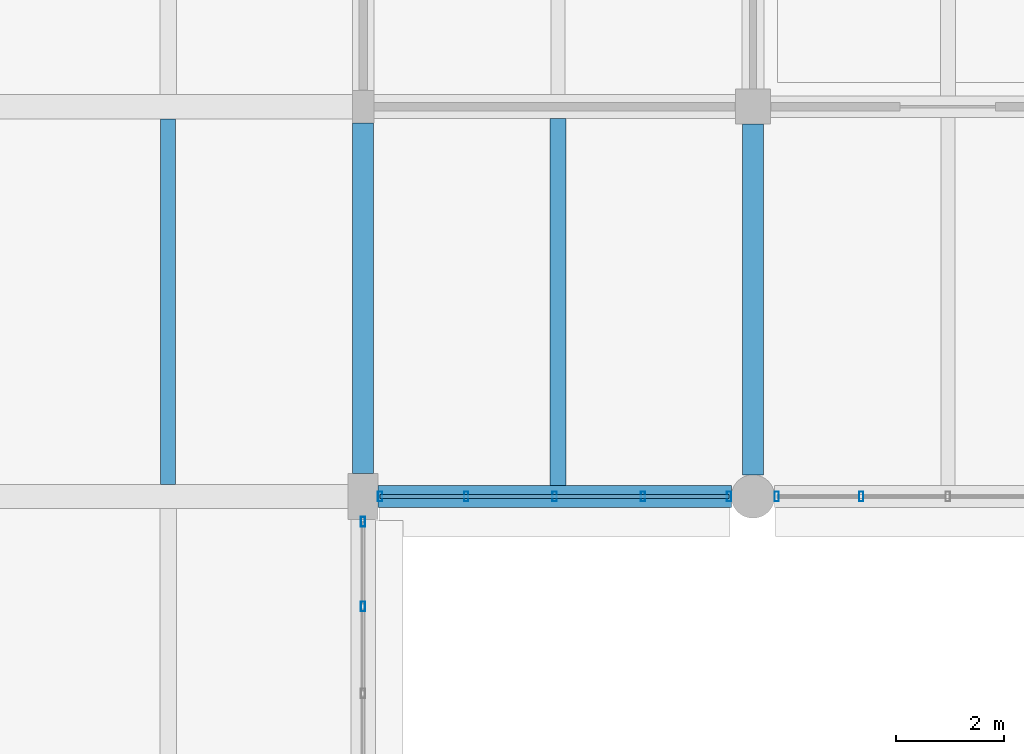
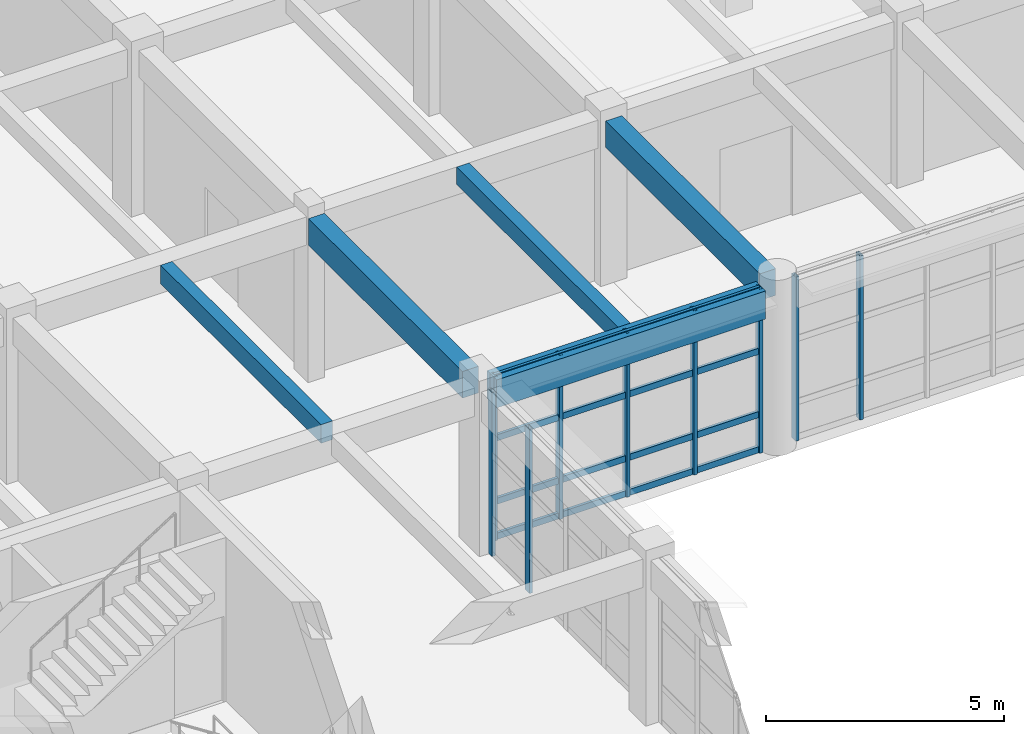
# One storey, part 23 of 171: 13 members, 5 beams, 3 elements without a shape of their own.
"""IFC4 building model written with IfcOpenShell, lengths in metres."""

from ifc_helpers import new_model, si_unit, direction, frame, origin, origin_2d, place, context, subcontext, project, spatial, rectangle, hollow_rectangle, extrude, material, material_profile, profile_set, type_object, element, aggregate, save


model = new_model("IFC4")

# Units and contexts
model_context = context("Model", 3, precision=1e-05, world=origin(), true_north=direction((0.0, 1.0)))
body_context = subcontext(model_context, "Body", "Model", "MODEL_VIEW")
ifc_project = project(units=[si_unit("LENGTHUNIT", "METRE"), si_unit("AREAUNIT", "SQUARE_METRE"), si_unit("VOLUMEUNIT", "CUBIC_METRE"), si_unit("PLANEANGLEUNIT", "RADIAN"), si_unit("MASSUNIT", "GRAM", prefix="KILO")], contexts=[model_context])

# Site, building, storey
site_placement = place(None, origin())
site = spatial("IfcSite", under=ifc_project, at=site_placement, CompositionType="ELEMENT")
building_placement = place(site_placement, origin())
building = spatial("IfcBuilding", under=site, at=building_placement, Name="Thalmaran Polytechnic", CompositionType="ELEMENT")
storey_placement = place(building_placement, frame((0.0, 0.0, 5.39990234375)))
storey = spatial("IfcBuildingStorey", under=building, at=storey_placement, Name="L01", CompositionType="ELEMENT", Elevation=5.39990234375)

# Beams
ifc_material_1 = material(Name="Concrete C40/50", Category="concrete")
ifc_material_profile_1 = material_profile(ifc_material_1, rectangle(XDim=0.389892578125, YDim=0.68505859375, at=origin_2d()), Name="RC 390x685")
ifc_profile_set_1 = profile_set([ifc_material_profile_1], Name="Concrete C40/50")
beam_type_1 = type_object("IfcBeamType", Name="BM-RC08", PredefinedType="BEAM", material=ifc_profile_set_1)
beam_1_placement = place(storey_placement, frame((21.60009765625, 50.824951171875, 3.86767578125), z_axis=(0.0, 1.0, 0.0), x_axis=(-1.0, 0.0, 0.0)))
element("IfcBeam", 1, at=beam_1_placement, inside=storey, type_object=beam_type_1, Name="Grid Beam B08 L01 Y(3,7)", PredefinedType="BEAM", context=body_context, shape_type="SweptSolid", body=[
    extrude(rectangle(XDim=0.389892578125, YDim=0.68505859375, at=origin_2d()), origin(), (0.0, 0.0, 1.0), 6.47509765625),
])
beam_2_placement = place(storey_placement, frame((28.800048828125, 50.800048828125, 3.86767578125), z_axis=(0.0, 1.0, 0.0), x_axis=(-1.0, 0.0, 0.0)))
element("IfcBeam", 2, at=beam_2_placement, inside=storey, type_object=beam_type_1, Name="Grid Beam B08 L01 Y(4,7)", PredefinedType="BEAM", context=body_context, shape_type="SweptSolid", body=[
    extrude(rectangle(XDim=0.389892578125, YDim=0.68505859375, at=origin_2d()), origin(), (0.0, 0.0, 1.0), 6.474853515625),
])
ifc_material_profile_2 = material_profile(ifc_material_1, rectangle(XDim=0.300048828125, YDim=0.449951171875, at=origin_2d()), Name="RC 300x450")
ifc_profile_set_2 = profile_set([ifc_material_profile_2], Name="Concrete C40/50")
beam_type_2 = type_object("IfcBeamType", Name="BM-RC12", PredefinedType="JOIST", material=ifc_profile_set_2)
beam_3_placement = place(storey_placement, frame((25.199951171875, 50.60009765625, 3.985107421875), z_axis=(0.0, 1.0, 0.0), x_axis=(-1.0, 0.0, 0.0)))
element("IfcBeam", 3, at=beam_3_placement, inside=storey, type_object=beam_type_2, Name="Secondary Floor Rib RB02 L01 (3,7)", PredefinedType="JOIST", context=body_context, shape_type="SweptSolid", body=[
    extrude(rectangle(XDim=0.300048828125, YDim=0.449951171875, at=origin_2d()), origin(), (0.0, 0.0, 1.0), 6.77978515625),
])
ifc_material_profile_3 = material_profile(ifc_material_1, rectangle(XDim=0.39990234375, YDim=0.719970703125, at=origin_2d()), Name="RC 400x720")
ifc_profile_set_3 = profile_set([ifc_material_profile_3], Name="Concrete C40/50")
beam_type_3 = type_object("IfcBeamType", Name="BM-SP01", PredefinedType="SPANDREL", material=ifc_profile_set_3)
beam_4_placement = place(storey_placement, frame((21.875, 50.39990234375, 3.85009765625), z_axis=(1.0, 0.0, 0.0), x_axis=(0.0, 1.0, 0.0)))
element("IfcBeam", 4, at=beam_4_placement, inside=storey, type_object=beam_type_3, Name="Grid Beam SP01 L01 X(3,7)", PredefinedType="SPANDREL", context=body_context, shape_type="SweptSolid", body=[
    extrude(rectangle(XDim=0.39990234375, YDim=0.719970703125, at=origin_2d()), origin(), (0.0, 0.0, 1.0), 6.52490234375),
])
ifc_material_profile_4 = material_profile(ifc_material_1, rectangle(XDim=0.280029296875, YDim=0.47998046875, at=origin_2d()), Name="RC 280x480")
ifc_profile_set_4 = profile_set([ifc_material_profile_4], Name="Concrete C40/50")
beam_type_4 = type_object("IfcBeamType", Name="BM-ZJ01", PredefinedType="JOIST", material=ifc_profile_set_4)
beam_5_placement = place(storey_placement, frame((18.0, 50.625, 3.97021484375), z_axis=(0.0, 1.0, 0.0), x_axis=(-1.0, 0.0, 0.0)))
element("IfcBeam", 5, at=beam_5_placement, inside=storey, type_object=beam_type_4, Name="Secondary Floor Rib ZJ01 L01 (2,7)", PredefinedType="JOIST", context=body_context, shape_type="SweptSolid", body=[
    extrude(rectangle(XDim=0.280029296875, YDim=0.47998046875, at=origin_2d()), origin(), (0.0, 0.0, 1.0), 6.75),
])

# Curtain wall, members
ifc_material_2 = material(Name="Aluminium 6063-T6", Category="aluminium")
curtain_wall_type_1 = type_object("IfcCurtainWallType", Name="CW-SC01", PredefinedType="USERDEFINED", material=ifc_material_2)
curtain_wall_1_placement = place(storey_placement, origin())
curtain_wall_1 = element("IfcCurtainWall", 6, at=curtain_wall_1_placement, inside=storey, type_object=curtain_wall_type_1, Name="Curtain Wall CW-L01-156", ObjectType="STICK CURTAIN WALL", PredefinedType="USERDEFINED")
ifc_material_profile_5 = material_profile(ifc_material_2, hollow_rectangle(XDim=0.080078125, YDim=0.179931640625, WallThickness=0.0048828125, at=origin_2d()), Name="RHS 180x80x5.0")
ifc_profile_set_5 = profile_set([ifc_material_profile_5], Name="Aluminium 6063-T6")
member_type_1 = type_object("IfcMemberType", Name="CW-MUL1", PredefinedType="MULLION", material=ifc_profile_set_5)
member_1_placement = place(storey_placement, frame((30.800048828125, 50.39990234375, 0.0), z_axis=(0.0, 0.0, 1.0), x_axis=(1.0, 0.0, 0.0)))
member_1 = element("IfcMember", 7, at=member_1_placement, type_object=member_type_1, Name="CW-L01-156 Mullion 4", PredefinedType="MULLION", context=body_context, shape_type="SweptSolid", body=[
    extrude(hollow_rectangle(XDim=0.080078125, YDim=0.179931640625, WallThickness=0.0048828125, at=origin_2d()), origin(), (0.0, 0.0, 1.0), 4.210205078125),
])
member_2_placement = place(storey_placement, frame((29.239990234375, 50.39990234375, 0.0), z_axis=(0.0, 0.0, 1.0), x_axis=(1.0, 0.0, 0.0)))
member_2 = element("IfcMember", 8, at=member_2_placement, type_object=member_type_1, Name="CW-L01-156 Mullion 5", PredefinedType="MULLION", context=body_context, shape_type="SweptSolid", body=[
    extrude(hollow_rectangle(XDim=0.080078125, YDim=0.179931640625, WallThickness=0.0048828125, at=origin_2d()), origin(), (0.0, 0.0, 1.0), 4.210205078125),
])
aggregate(curtain_wall_1, [member_1, member_2])

curtain_wall_type_2 = type_object("IfcCurtainWallType", Name="CW-UC02", PredefinedType="USERDEFINED", material=ifc_material_2)
curtain_wall_2_placement = place(storey_placement, origin())
curtain_wall_2 = element("IfcCurtainWall", 9, at=curtain_wall_2_placement, inside=storey, type_object=curtain_wall_type_2, Name="Curtain Wall CW-L01-157", ObjectType="UNITISED CURTAIN WALL", PredefinedType="USERDEFINED")
member_3_placement = place(storey_placement, frame((28.360107421875, 50.39990234375, 0.0), z_axis=(0.0, 0.0, 1.0), x_axis=(1.0, 0.0, 0.0)))
member_3 = element("IfcMember", 10, at=member_3_placement, type_object=member_type_1, Name="CW-L01-157 Mullion 1", PredefinedType="MULLION", context=body_context, shape_type="SweptSolid", body=[
    extrude(hollow_rectangle(XDim=0.080078125, YDim=0.179931640625, WallThickness=0.0048828125, at=origin_2d()), origin(), (0.0, 0.0, 1.0), 4.210205078125),
])
member_4_placement = place(storey_placement, frame((26.768798828125, 50.39990234375, 0.0), z_axis=(0.0, 0.0, 1.0), x_axis=(1.0, 0.0, 0.0)))
member_4 = element("IfcMember", 11, at=member_4_placement, type_object=member_type_1, Name="CW-L01-157 Mullion 2", PredefinedType="MULLION", context=body_context, shape_type="SweptSolid", body=[
    extrude(hollow_rectangle(XDim=0.080078125, YDim=0.179931640625, WallThickness=0.0048828125, at=origin_2d()), origin(), (0.0, 0.0, 1.0), 4.210205078125),
])
member_5_placement = place(storey_placement, frame((25.137451171875, 50.39990234375, 0.0), z_axis=(0.0, 0.0, 1.0), x_axis=(1.0, 0.0, 0.0)))
member_5 = element("IfcMember", 12, at=member_5_placement, type_object=member_type_1, Name="CW-L01-157 Mullion 3", PredefinedType="MULLION", context=body_context, shape_type="SweptSolid", body=[
    extrude(hollow_rectangle(XDim=0.080078125, YDim=0.179931640625, WallThickness=0.0048828125, at=origin_2d()), origin(), (0.0, 0.0, 1.0), 4.210205078125),
])
member_6_placement = place(storey_placement, frame((23.50634765625, 50.39990234375, 0.0), z_axis=(0.0, 0.0, 1.0), x_axis=(1.0, 0.0, 0.0)))
member_6 = element("IfcMember", 13, at=member_6_placement, type_object=member_type_1, Name="CW-L01-157 Mullion 4", PredefinedType="MULLION", context=body_context, shape_type="SweptSolid", body=[
    extrude(hollow_rectangle(XDim=0.080078125, YDim=0.179931640625, WallThickness=0.0048828125, at=origin_2d()), origin(), (0.0, 0.0, 1.0), 4.210205078125),
])
member_7_placement = place(storey_placement, frame((21.9150390625, 50.39990234375, 0.0), z_axis=(0.0, 0.0, 1.0), x_axis=(1.0, 0.0, 0.0)))
member_7 = element("IfcMember", 14, at=member_7_placement, type_object=member_type_1, Name="CW-L01-157 Mullion 5", PredefinedType="MULLION", context=body_context, shape_type="SweptSolid", body=[
    extrude(hollow_rectangle(XDim=0.080078125, YDim=0.179931640625, WallThickness=0.0048828125, at=origin_2d()), origin(), (0.0, 0.0, 1.0), 4.210205078125),
])

curtain_wall_3_placement = place(storey_placement, origin())
curtain_wall_3 = element("IfcCurtainWall", 15, at=curtain_wall_3_placement, inside=storey, type_object=curtain_wall_type_2, Name="Curtain Wall CW-L01-158", ObjectType="UNITISED CURTAIN WALL", PredefinedType="USERDEFINED")
member_8_placement = place(storey_placement, frame((21.60009765625, 49.93505859375, 0.0), z_axis=(0.0, 0.0, 1.0), x_axis=(1.0, 0.0, 0.0)))
member_8 = element("IfcMember", 16, at=member_8_placement, type_object=member_type_1, Name="CW-L01-158 Mullion 1", PredefinedType="MULLION", context=body_context, shape_type="SweptSolid", body=[
    extrude(hollow_rectangle(XDim=0.080078125, YDim=0.179931640625, WallThickness=0.0048828125, at=origin_2d()), origin(), (0.0, 0.0, 1.0), 4.210205078125),
])
member_9_placement = place(storey_placement, frame((21.60009765625, 48.36865234375, 0.0), z_axis=(0.0, 0.0, 1.0), x_axis=(1.0, 0.0, 0.0)))
member_9 = element("IfcMember", 17, at=member_9_placement, type_object=member_type_1, Name="CW-L01-158 Mullion 2", PredefinedType="MULLION", context=body_context, shape_type="SweptSolid", body=[
    extrude(hollow_rectangle(XDim=0.080078125, YDim=0.179931640625, WallThickness=0.0048828125, at=origin_2d()), origin(), (0.0, 0.0, 1.0), 4.210205078125),
])
aggregate(curtain_wall_3, [member_8, member_9])

# Member
ifc_material_profile_6 = material_profile(ifc_material_2, hollow_rectangle(XDim=0.070068359375, YDim=0.159912109375, WallThickness=0.00390625, at=origin_2d()), Name="AL 160x70x4.0")
ifc_profile_set_6 = profile_set([ifc_material_profile_6], Name="Aluminium 6063-T6")
member_type_2 = type_object("IfcMemberType", Name="CW-TRN1", PredefinedType="USERDEFINED", material=ifc_profile_set_6)
member_10_placement = place(storey_placement, frame((28.360107421875, 50.39990234375, 0.06005859375), z_axis=(-1.0, 0.0, 0.0), x_axis=(0.0, -1.0, 0.0)))
member_10 = element("IfcMember", 18, at=member_10_placement, type_object=member_type_2, Name="CW-L01-157 Transom 1", ObjectType="TRANSOM", PredefinedType="USERDEFINED", context=body_context, shape_type="SweptSolid", body=[
    extrude(hollow_rectangle(XDim=0.070068359375, YDim=0.159912109375, WallThickness=0.00390625, at=origin_2d()), origin(), (0.0, 0.0, 1.0), 6.445068359375),
])

member_11_placement = place(storey_placement, frame((28.360107421875, 50.39990234375, 0.960205078125), z_axis=(-1.0, 0.0, 0.0), x_axis=(0.0, -1.0, 0.0)))
member_11 = element("IfcMember", 19, at=member_11_placement, type_object=member_type_2, Name="CW-L01-157 Transom 2", ObjectType="TRANSOM", PredefinedType="USERDEFINED", context=body_context, shape_type="SweptSolid", body=[
    extrude(hollow_rectangle(XDim=0.070068359375, YDim=0.159912109375, WallThickness=0.00390625, at=origin_2d()), origin(), (0.0, 0.0, 1.0), 6.445068359375),
])

member_12_placement = place(storey_placement, frame((28.360107421875, 50.39990234375, 2.585205078125), z_axis=(-1.0, 0.0, 0.0), x_axis=(0.0, -1.0, 0.0)))
member_12 = element("IfcMember", 20, at=member_12_placement, type_object=member_type_2, Name="CW-L01-157 Transom 3", ObjectType="TRANSOM", PredefinedType="USERDEFINED", context=body_context, shape_type="SweptSolid", body=[
    extrude(hollow_rectangle(XDim=0.070068359375, YDim=0.159912109375, WallThickness=0.00390625, at=origin_2d()), origin(), (0.0, 0.0, 1.0), 6.445068359375),
])

member_13_placement = place(storey_placement, frame((28.360107421875, 50.39990234375, 4.150146484375), z_axis=(-1.0, 0.0, 0.0), x_axis=(0.0, -1.0, 0.0)))
member_13 = element("IfcMember", 21, at=member_13_placement, type_object=member_type_2, Name="CW-L01-157 Transom 4", ObjectType="TRANSOM", PredefinedType="USERDEFINED", context=body_context, shape_type="SweptSolid", body=[
    extrude(hollow_rectangle(XDim=0.070068359375, YDim=0.159912109375, WallThickness=0.00390625, at=origin_2d()), origin(), (0.0, 0.0, 1.0), 6.445068359375),
])

aggregate(curtain_wall_2, [member_3, member_4, member_5, member_6, member_7, member_10, member_11, member_12, member_13])

save(model, "model.ifc")
